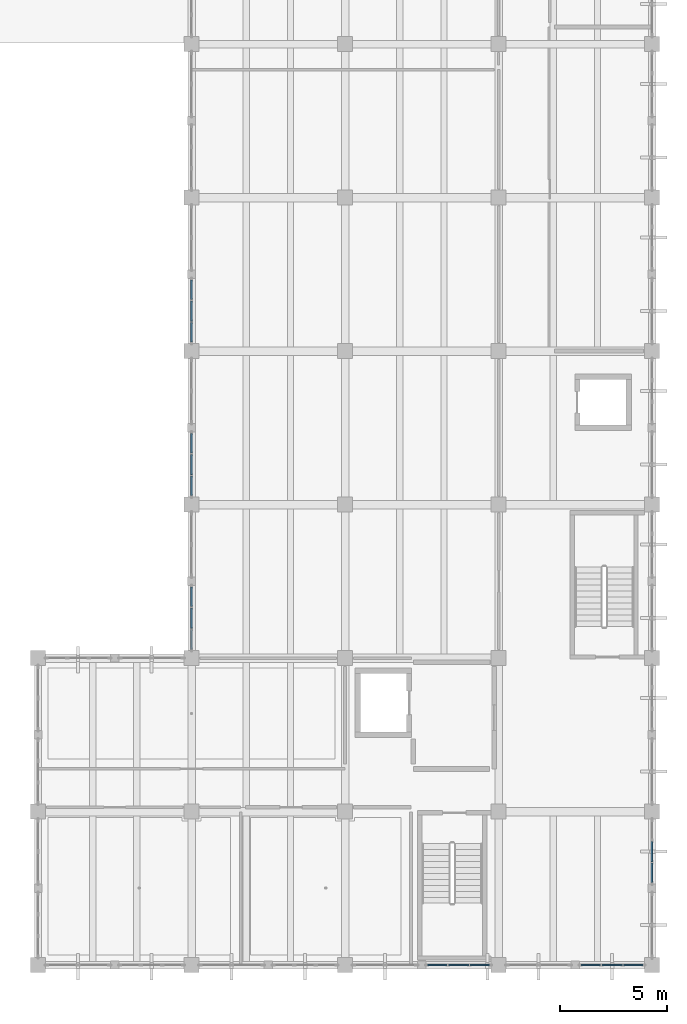
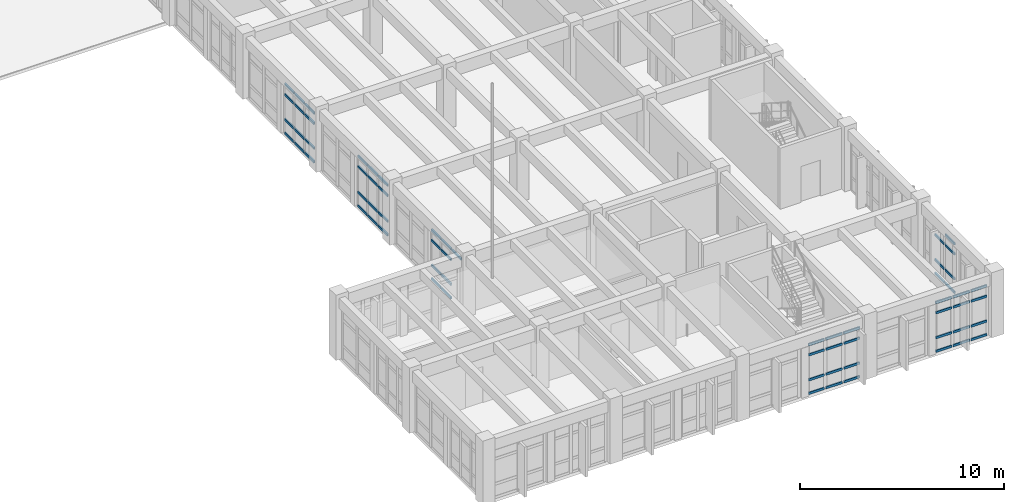
# One storey, part 19 of 54: 64 members, 6 elements without a shape of their own.
"""IFC4 building model written with IfcOpenShell, lengths in metres."""

from ifc_helpers import new_model, si_unit, direction, frame, origin, origin_2d, place, context, subcontext, project, spatial, rectangle, extrude, material, layer, layer_set, material_profile, profile_set, type_object, element, aggregate, save


model = new_model("IFC4")

# Units and contexts
model_context = context("Model", 3, precision=1e-05, world=origin(), true_north=direction((0.0, 1.0)))
body_context = subcontext(model_context, "Body", "Model", "MODEL_VIEW")
ifc_project = project(units=[si_unit("LENGTHUNIT", "METRE"), si_unit("AREAUNIT", "SQUARE_METRE"), si_unit("VOLUMEUNIT", "CUBIC_METRE"), si_unit("PLANEANGLEUNIT", "RADIAN"), si_unit("MASSUNIT", "GRAM", prefix="KILO")], contexts=[model_context])

# Site, building, storey
site_placement = place(None, origin())
site = spatial("IfcSite", under=ifc_project, at=site_placement, CompositionType="ELEMENT")
building_placement = place(site_placement, origin())
building = spatial("IfcBuilding", under=site, at=building_placement, Name="Koriwan Promenade Central Fire Station", CompositionType="ELEMENT")
storey_placement = place(building_placement, frame((0.0, 0.0, 9.60009765625)))
storey = spatial("IfcBuildingStorey", under=building, at=storey_placement, Name="L02", CompositionType="ELEMENT", Elevation=9.60009765625)

# Curtain wall, members
ifc_material_1 = material(Name="Aluminium EN AW-6063-T6 and low-E glazing", Category="aluminium")
ifc_layer_1 = layer(ifc_material_1, 0.159912109375, Name="Aluminium EN AW-6063-T6 and low-E glazing")
ifc_layer_set_1 = layer_set([ifc_layer_1], Name="Aluminium EN AW-6063-T6 and low-E glazing")
curtain_wall_type_1 = type_object("IfcCurtainWallType", Name="CurtainWall_73_305x299", PredefinedType="USERDEFINED", material=ifc_layer_set_1)
curtain_wall_1_placement = place(storey_placement, origin())
curtain_wall_1 = element("IfcCurtainWall", 1, at=curtain_wall_1_placement, inside=storey, type_object=curtain_wall_type_1, Name="V5 L02 unitised curtain wall 209", ObjectType="UNITISED CURTAIN WALL", PredefinedType="USERDEFINED")
ifc_material_2 = material(Name="Aluminium EN AW-6063-T6", Category="aluminium")
ifc_material_profile = material_profile(ifc_material_2, rectangle(XDim=0.074951171875, YDim=0.139892578125, at=origin_2d()), Name="ALU-TRN-75x140")
ifc_profile_set = profile_set([ifc_material_profile], Name="Aluminium EN AW-6063-T6")
member_type = type_object("IfcMemberType", Name="CWTransom_ALU-TRN-75x140", PredefinedType="USERDEFINED", material=ifc_profile_set)
member_1_placement = place(storey_placement, frame((172.375, 0.0, 0.037353515625), z_axis=(-1.0, 0.0, 0.0), x_axis=(0.0, -1.0, 0.0)))
member_1 = element("IfcMember", 2, at=member_1_placement, type_object=member_type, Name="CW-73 transom 1.1", ObjectType="TRANSOM", PredefinedType="USERDEFINED", context=body_context, shape_type="SweptSolid", body=[
    extrude(rectangle(XDim=0.074951171875, YDim=0.139892578125, at=origin_2d()), origin(), (0.0, 0.0, 1.0), 0.904052734375),
])
member_2_placement = place(storey_placement, frame((172.375, 0.0, 0.849853515625), z_axis=(-1.0, 0.0, 0.0), x_axis=(0.0, -1.0, 0.0)))
member_2 = element("IfcMember", 3, at=member_2_placement, type_object=member_type, Name="CW-73 transom 1.2", ObjectType="TRANSOM", PredefinedType="USERDEFINED", context=body_context, shape_type="SweptSolid", body=[
    extrude(rectangle(XDim=0.074951171875, YDim=0.139892578125, at=origin_2d()), origin(), (0.0, 0.0, 1.0), 0.904052734375),
])
member_3_placement = place(storey_placement, frame((172.375, 0.0, 2.33984375), z_axis=(-1.0, 0.0, 0.0), x_axis=(0.0, -1.0, 0.0)))
member_3 = element("IfcMember", 4, at=member_3_placement, type_object=member_type, Name="CW-73 transom 1.3", ObjectType="TRANSOM", PredefinedType="USERDEFINED", context=body_context, shape_type="SweptSolid", body=[
    extrude(rectangle(XDim=0.074951171875, YDim=0.139892578125, at=origin_2d()), origin(), (0.0, 0.0, 1.0), 0.904052734375),
])
member_4_placement = place(storey_placement, frame((172.375, 0.0, 2.952392578125), z_axis=(-1.0, 0.0, 0.0), x_axis=(0.0, -1.0, 0.0)))
member_4 = element("IfcMember", 5, at=member_4_placement, type_object=member_type, Name="CW-73 transom 1.4", ObjectType="TRANSOM", PredefinedType="USERDEFINED", context=body_context, shape_type="SweptSolid", body=[
    extrude(rectangle(XDim=0.074951171875, YDim=0.139892578125, at=origin_2d()), origin(), (0.0, 0.0, 1.0), 0.904052734375),
])
member_5_placement = place(storey_placement, frame((171.395751953125, 0.0, 0.037353515625), z_axis=(-1.0, 0.0, 0.0), x_axis=(0.0, -1.0, 0.0)))
member_5 = element("IfcMember", 6, at=member_5_placement, type_object=member_type, Name="CW-73 transom 2.1", ObjectType="TRANSOM", PredefinedType="USERDEFINED", context=body_context, shape_type="SweptSolid", body=[
    extrude(rectangle(XDim=0.074951171875, YDim=0.139892578125, at=origin_2d()), origin(), (0.0, 0.0, 1.0), 0.941650390625),
])
member_6_placement = place(storey_placement, frame((171.395751953125, 0.0, 0.849853515625), z_axis=(-1.0, 0.0, 0.0), x_axis=(0.0, -1.0, 0.0)))
member_6 = element("IfcMember", 7, at=member_6_placement, type_object=member_type, Name="CW-73 transom 2.2", ObjectType="TRANSOM", PredefinedType="USERDEFINED", context=body_context, shape_type="SweptSolid", body=[
    extrude(rectangle(XDim=0.074951171875, YDim=0.139892578125, at=origin_2d()), origin(), (0.0, 0.0, 1.0), 0.941650390625),
])
member_7_placement = place(storey_placement, frame((171.395751953125, 0.0, 2.33984375), z_axis=(-1.0, 0.0, 0.0), x_axis=(0.0, -1.0, 0.0)))
member_7 = element("IfcMember", 8, at=member_7_placement, type_object=member_type, Name="CW-73 transom 2.3", ObjectType="TRANSOM", PredefinedType="USERDEFINED", context=body_context, shape_type="SweptSolid", body=[
    extrude(rectangle(XDim=0.074951171875, YDim=0.139892578125, at=origin_2d()), origin(), (0.0, 0.0, 1.0), 0.941650390625),
])
member_8_placement = place(storey_placement, frame((171.395751953125, 0.0, 2.952392578125), z_axis=(-1.0, 0.0, 0.0), x_axis=(0.0, -1.0, 0.0)))
member_8 = element("IfcMember", 9, at=member_8_placement, type_object=member_type, Name="CW-73 transom 2.4", ObjectType="TRANSOM", PredefinedType="USERDEFINED", context=body_context, shape_type="SweptSolid", body=[
    extrude(rectangle(XDim=0.074951171875, YDim=0.139892578125, at=origin_2d()), origin(), (0.0, 0.0, 1.0), 0.941650390625),
])
member_9_placement = place(storey_placement, frame((170.379150390625, 0.0, 0.037353515625), z_axis=(-1.0, 0.0, 0.0), x_axis=(0.0, -1.0, 0.0)))
member_9 = element("IfcMember", 10, at=member_9_placement, type_object=member_type, Name="CW-73 transom 3.1", ObjectType="TRANSOM", PredefinedType="USERDEFINED", context=body_context, shape_type="SweptSolid", body=[
    extrude(rectangle(XDim=0.074951171875, YDim=0.139892578125, at=origin_2d()), origin(), (0.0, 0.0, 1.0), 0.904052734375),
])
member_10_placement = place(storey_placement, frame((170.379150390625, 0.0, 0.849853515625), z_axis=(-1.0, 0.0, 0.0), x_axis=(0.0, -1.0, 0.0)))
member_10 = element("IfcMember", 11, at=member_10_placement, type_object=member_type, Name="CW-73 transom 3.2", ObjectType="TRANSOM", PredefinedType="USERDEFINED", context=body_context, shape_type="SweptSolid", body=[
    extrude(rectangle(XDim=0.074951171875, YDim=0.139892578125, at=origin_2d()), origin(), (0.0, 0.0, 1.0), 0.904052734375),
])
member_11_placement = place(storey_placement, frame((170.379150390625, 0.0, 2.33984375), z_axis=(-1.0, 0.0, 0.0), x_axis=(0.0, -1.0, 0.0)))
member_11 = element("IfcMember", 12, at=member_11_placement, type_object=member_type, Name="CW-73 transom 3.3", ObjectType="TRANSOM", PredefinedType="USERDEFINED", context=body_context, shape_type="SweptSolid", body=[
    extrude(rectangle(XDim=0.074951171875, YDim=0.139892578125, at=origin_2d()), origin(), (0.0, 0.0, 1.0), 0.904052734375),
])
member_12_placement = place(storey_placement, frame((170.379150390625, 0.0, 2.952392578125), z_axis=(-1.0, 0.0, 0.0), x_axis=(0.0, -1.0, 0.0)))
member_12 = element("IfcMember", 13, at=member_12_placement, type_object=member_type, Name="CW-73 transom 3.4", ObjectType="TRANSOM", PredefinedType="USERDEFINED", context=body_context, shape_type="SweptSolid", body=[
    extrude(rectangle(XDim=0.074951171875, YDim=0.139892578125, at=origin_2d()), origin(), (0.0, 0.0, 1.0), 0.904052734375),
])
aggregate(curtain_wall_1, [member_1, member_2, member_3, member_4, member_5, member_6, member_7, member_8, member_9, member_10, member_11, member_12])

curtain_wall_2_placement = place(storey_placement, origin())
curtain_wall_2 = element("IfcCurtainWall", 14, at=curtain_wall_2_placement, inside=storey, type_object=curtain_wall_type_1, Name="V5 L02 unitised curtain wall 211", ObjectType="UNITISED CURTAIN WALL", PredefinedType="USERDEFINED")
member_13_placement = place(storey_placement, frame((165.175048828125, 0.0, 0.037353515625), z_axis=(-1.0, 0.0, 0.0), x_axis=(0.0, -1.0, 0.0)))
member_13 = element("IfcMember", 15, at=member_13_placement, type_object=member_type, Name="CW-73 transom 1.1", ObjectType="TRANSOM", PredefinedType="USERDEFINED", context=body_context, shape_type="SweptSolid", body=[
    extrude(rectangle(XDim=0.074951171875, YDim=0.139892578125, at=origin_2d()), origin(), (0.0, 0.0, 1.0), 0.904296875),
])
member_14_placement = place(storey_placement, frame((165.175048828125, 0.0, 0.849853515625), z_axis=(-1.0, 0.0, 0.0), x_axis=(0.0, -1.0, 0.0)))
member_14 = element("IfcMember", 16, at=member_14_placement, type_object=member_type, Name="CW-73 transom 1.2", ObjectType="TRANSOM", PredefinedType="USERDEFINED", context=body_context, shape_type="SweptSolid", body=[
    extrude(rectangle(XDim=0.074951171875, YDim=0.139892578125, at=origin_2d()), origin(), (0.0, 0.0, 1.0), 0.904296875),
])
member_15_placement = place(storey_placement, frame((165.175048828125, 0.0, 2.33984375), z_axis=(-1.0, 0.0, 0.0), x_axis=(0.0, -1.0, 0.0)))
member_15 = element("IfcMember", 17, at=member_15_placement, type_object=member_type, Name="CW-73 transom 1.3", ObjectType="TRANSOM", PredefinedType="USERDEFINED", context=body_context, shape_type="SweptSolid", body=[
    extrude(rectangle(XDim=0.074951171875, YDim=0.139892578125, at=origin_2d()), origin(), (0.0, 0.0, 1.0), 0.904296875),
])
member_16_placement = place(storey_placement, frame((165.175048828125, 0.0, 2.952392578125), z_axis=(-1.0, 0.0, 0.0), x_axis=(0.0, -1.0, 0.0)))
member_16 = element("IfcMember", 18, at=member_16_placement, type_object=member_type, Name="CW-73 transom 1.4", ObjectType="TRANSOM", PredefinedType="USERDEFINED", context=body_context, shape_type="SweptSolid", body=[
    extrude(rectangle(XDim=0.074951171875, YDim=0.139892578125, at=origin_2d()), origin(), (0.0, 0.0, 1.0), 0.904296875),
])
member_17_placement = place(storey_placement, frame((164.19580078125, 0.0, 0.037353515625), z_axis=(-1.0, 0.0, 0.0), x_axis=(0.0, -1.0, 0.0)))
member_17 = element("IfcMember", 19, at=member_17_placement, type_object=member_type, Name="CW-73 transom 2.1", ObjectType="TRANSOM", PredefinedType="USERDEFINED", context=body_context, shape_type="SweptSolid", body=[
    extrude(rectangle(XDim=0.074951171875, YDim=0.139892578125, at=origin_2d()), origin(), (0.0, 0.0, 1.0), 0.941650390625),
])
member_18_placement = place(storey_placement, frame((164.19580078125, 0.0, 0.849853515625), z_axis=(-1.0, 0.0, 0.0), x_axis=(0.0, -1.0, 0.0)))
member_18 = element("IfcMember", 20, at=member_18_placement, type_object=member_type, Name="CW-73 transom 2.2", ObjectType="TRANSOM", PredefinedType="USERDEFINED", context=body_context, shape_type="SweptSolid", body=[
    extrude(rectangle(XDim=0.074951171875, YDim=0.139892578125, at=origin_2d()), origin(), (0.0, 0.0, 1.0), 0.941650390625),
])
member_19_placement = place(storey_placement, frame((164.19580078125, 0.0, 2.33984375), z_axis=(-1.0, 0.0, 0.0), x_axis=(0.0, -1.0, 0.0)))
member_19 = element("IfcMember", 21, at=member_19_placement, type_object=member_type, Name="CW-73 transom 2.3", ObjectType="TRANSOM", PredefinedType="USERDEFINED", context=body_context, shape_type="SweptSolid", body=[
    extrude(rectangle(XDim=0.074951171875, YDim=0.139892578125, at=origin_2d()), origin(), (0.0, 0.0, 1.0), 0.941650390625),
])
member_20_placement = place(storey_placement, frame((164.19580078125, 0.0, 2.952392578125), z_axis=(-1.0, 0.0, 0.0), x_axis=(0.0, -1.0, 0.0)))
member_20 = element("IfcMember", 22, at=member_20_placement, type_object=member_type, Name="CW-73 transom 2.4", ObjectType="TRANSOM", PredefinedType="USERDEFINED", context=body_context, shape_type="SweptSolid", body=[
    extrude(rectangle(XDim=0.074951171875, YDim=0.139892578125, at=origin_2d()), origin(), (0.0, 0.0, 1.0), 0.941650390625),
])
member_21_placement = place(storey_placement, frame((163.17919921875, 0.0, 0.037353515625), z_axis=(-1.0, 0.0, 0.0), x_axis=(0.0, -1.0, 0.0)))
member_21 = element("IfcMember", 23, at=member_21_placement, type_object=member_type, Name="CW-73 transom 3.1", ObjectType="TRANSOM", PredefinedType="USERDEFINED", context=body_context, shape_type="SweptSolid", body=[
    extrude(rectangle(XDim=0.074951171875, YDim=0.139892578125, at=origin_2d()), origin(), (0.0, 0.0, 1.0), 0.904296875),
])
member_22_placement = place(storey_placement, frame((163.17919921875, 0.0, 0.849853515625), z_axis=(-1.0, 0.0, 0.0), x_axis=(0.0, -1.0, 0.0)))
member_22 = element("IfcMember", 24, at=member_22_placement, type_object=member_type, Name="CW-73 transom 3.2", ObjectType="TRANSOM", PredefinedType="USERDEFINED", context=body_context, shape_type="SweptSolid", body=[
    extrude(rectangle(XDim=0.074951171875, YDim=0.139892578125, at=origin_2d()), origin(), (0.0, 0.0, 1.0), 0.904296875),
])
member_23_placement = place(storey_placement, frame((163.17919921875, 0.0, 2.33984375), z_axis=(-1.0, 0.0, 0.0), x_axis=(0.0, -1.0, 0.0)))
member_23 = element("IfcMember", 25, at=member_23_placement, type_object=member_type, Name="CW-73 transom 3.3", ObjectType="TRANSOM", PredefinedType="USERDEFINED", context=body_context, shape_type="SweptSolid", body=[
    extrude(rectangle(XDim=0.074951171875, YDim=0.139892578125, at=origin_2d()), origin(), (0.0, 0.0, 1.0), 0.904296875),
])
member_24_placement = place(storey_placement, frame((163.17919921875, 0.0, 2.952392578125), z_axis=(-1.0, 0.0, 0.0), x_axis=(0.0, -1.0, 0.0)))
member_24 = element("IfcMember", 26, at=member_24_placement, type_object=member_type, Name="CW-73 transom 3.4", ObjectType="TRANSOM", PredefinedType="USERDEFINED", context=body_context, shape_type="SweptSolid", body=[
    extrude(rectangle(XDim=0.074951171875, YDim=0.139892578125, at=origin_2d()), origin(), (0.0, 0.0, 1.0), 0.904296875),
])
aggregate(curtain_wall_2, [member_13, member_14, member_15, member_16, member_17, member_18, member_19, member_20, member_21, member_22, member_23, member_24])

curtain_wall_3_placement = place(storey_placement, origin())
curtain_wall_3 = element("IfcCurtainWall", 27, at=curtain_wall_3_placement, inside=storey, type_object=curtain_wall_type_1, Name="V5 L02 unitised curtain wall 223", ObjectType="UNITISED CURTAIN WALL", PredefinedType="USERDEFINED")
member_25_placement = place(storey_placement, frame((151.199951171875, 14.824951171875, 2.952392578125), z_axis=(0.0, 1.0, 0.0), x_axis=(-1.0, 0.0, 0.0)))
member_25 = element("IfcMember", 28, at=member_25_placement, type_object=member_type, Name="CW-73 transom 1.4", ObjectType="TRANSOM", PredefinedType="USERDEFINED", context=body_context, shape_type="SweptSolid", body=[
    extrude(rectangle(XDim=0.074951171875, YDim=0.139892578125, at=origin_2d()), origin(), (0.0, 0.0, 1.0), 0.904296875),
])
member_26_placement = place(storey_placement, frame((151.199951171875, 15.80419921875, 0.037353515625), z_axis=(0.0, 1.0, 0.0), x_axis=(-1.0, 0.0, 0.0)))
member_26 = element("IfcMember", 29, at=member_26_placement, type_object=member_type, Name="CW-73 transom 2.1", ObjectType="TRANSOM", PredefinedType="USERDEFINED", context=body_context, shape_type="SweptSolid", body=[
    extrude(rectangle(XDim=0.074951171875, YDim=0.139892578125, at=origin_2d()), origin(), (0.0, 0.0, 1.0), 0.941650390625),
])
member_27_placement = place(storey_placement, frame((151.199951171875, 15.80419921875, 0.849853515625), z_axis=(0.0, 1.0, 0.0), x_axis=(-1.0, 0.0, 0.0)))
member_27 = element("IfcMember", 30, at=member_27_placement, type_object=member_type, Name="CW-73 transom 2.2", ObjectType="TRANSOM", PredefinedType="USERDEFINED", context=body_context, shape_type="SweptSolid", body=[
    extrude(rectangle(XDim=0.074951171875, YDim=0.139892578125, at=origin_2d()), origin(), (0.0, 0.0, 1.0), 0.941650390625),
])
member_28_placement = place(storey_placement, frame((151.199951171875, 15.80419921875, 2.33984375), z_axis=(0.0, 1.0, 0.0), x_axis=(-1.0, 0.0, 0.0)))
member_28 = element("IfcMember", 31, at=member_28_placement, type_object=member_type, Name="CW-73 transom 2.3", ObjectType="TRANSOM", PredefinedType="USERDEFINED", context=body_context, shape_type="SweptSolid", body=[
    extrude(rectangle(XDim=0.074951171875, YDim=0.139892578125, at=origin_2d()), origin(), (0.0, 0.0, 1.0), 0.941650390625),
])
member_29_placement = place(storey_placement, frame((151.199951171875, 15.80419921875, 2.952392578125), z_axis=(0.0, 1.0, 0.0), x_axis=(-1.0, 0.0, 0.0)))
member_29 = element("IfcMember", 32, at=member_29_placement, type_object=member_type, Name="CW-73 transom 2.4", ObjectType="TRANSOM", PredefinedType="USERDEFINED", context=body_context, shape_type="SweptSolid", body=[
    extrude(rectangle(XDim=0.074951171875, YDim=0.139892578125, at=origin_2d()), origin(), (0.0, 0.0, 1.0), 0.941650390625),
])
member_30_placement = place(storey_placement, frame((151.199951171875, 16.82080078125, 0.037353515625), z_axis=(0.0, 1.0, 0.0), x_axis=(-1.0, 0.0, 0.0)))
member_30 = element("IfcMember", 33, at=member_30_placement, type_object=member_type, Name="CW-73 transom 3.1", ObjectType="TRANSOM", PredefinedType="USERDEFINED", context=body_context, shape_type="SweptSolid", body=[
    extrude(rectangle(XDim=0.074951171875, YDim=0.139892578125, at=origin_2d()), origin(), (0.0, 0.0, 1.0), 0.904296875),
])
member_31_placement = place(storey_placement, frame((151.199951171875, 16.82080078125, 0.849853515625), z_axis=(0.0, 1.0, 0.0), x_axis=(-1.0, 0.0, 0.0)))
member_31 = element("IfcMember", 34, at=member_31_placement, type_object=member_type, Name="CW-73 transom 3.2", ObjectType="TRANSOM", PredefinedType="USERDEFINED", context=body_context, shape_type="SweptSolid", body=[
    extrude(rectangle(XDim=0.074951171875, YDim=0.139892578125, at=origin_2d()), origin(), (0.0, 0.0, 1.0), 0.904296875),
])
member_32_placement = place(storey_placement, frame((151.199951171875, 16.82080078125, 2.33984375), z_axis=(0.0, 1.0, 0.0), x_axis=(-1.0, 0.0, 0.0)))
member_32 = element("IfcMember", 35, at=member_32_placement, type_object=member_type, Name="CW-73 transom 3.3", ObjectType="TRANSOM", PredefinedType="USERDEFINED", context=body_context, shape_type="SweptSolid", body=[
    extrude(rectangle(XDim=0.074951171875, YDim=0.139892578125, at=origin_2d()), origin(), (0.0, 0.0, 1.0), 0.904296875),
])
member_33_placement = place(storey_placement, frame((151.199951171875, 16.82080078125, 2.952392578125), z_axis=(0.0, 1.0, 0.0), x_axis=(-1.0, 0.0, 0.0)))
member_33 = element("IfcMember", 36, at=member_33_placement, type_object=member_type, Name="CW-73 transom 3.4", ObjectType="TRANSOM", PredefinedType="USERDEFINED", context=body_context, shape_type="SweptSolid", body=[
    extrude(rectangle(XDim=0.074951171875, YDim=0.139892578125, at=origin_2d()), origin(), (0.0, 0.0, 1.0), 0.904296875),
])
aggregate(curtain_wall_3, [member_25, member_26, member_27, member_28, member_29, member_30, member_31, member_32, member_33])

ifc_layer_2 = layer(ifc_material_1, 0.159912109375, Name="Aluminium EN AW-6063-T6 and low-E glazing")
ifc_layer_set_2 = layer_set([ifc_layer_2], Name="Aluminium EN AW-6063-T6 and low-E glazing")
curtain_wall_type_2 = type_object("IfcCurtainWallType", Name="CurtainWall_80_305x304", PredefinedType="USERDEFINED", material=ifc_layer_set_2)
curtain_wall_4_placement = place(storey_placement, origin())
curtain_wall_4 = element("IfcCurtainWall", 37, at=curtain_wall_4_placement, inside=storey, type_object=curtain_wall_type_2, Name="V5 L02 unitised curtain wall 225", ObjectType="UNITISED CURTAIN WALL", PredefinedType="USERDEFINED")
member_34_placement = place(storey_placement, frame((151.199951171875, 22.02490234375, 0.037353515625), z_axis=(0.0, 1.0, 0.0), x_axis=(-1.0, 0.0, 0.0)))
member_34 = element("IfcMember", 38, at=member_34_placement, type_object=member_type, Name="CW-80 transom 1.1", ObjectType="TRANSOM", PredefinedType="USERDEFINED", context=body_context, shape_type="SweptSolid", body=[
    extrude(rectangle(XDim=0.074951171875, YDim=0.139892578125, at=origin_2d()), origin(), (0.0, 0.0, 1.0), 0.904296875),
])
member_35_placement = place(storey_placement, frame((151.199951171875, 22.02490234375, 0.849853515625), z_axis=(0.0, 1.0, 0.0), x_axis=(-1.0, 0.0, 0.0)))
member_35 = element("IfcMember", 39, at=member_35_placement, type_object=member_type, Name="CW-80 transom 1.2", ObjectType="TRANSOM", PredefinedType="USERDEFINED", context=body_context, shape_type="SweptSolid", body=[
    extrude(rectangle(XDim=0.074951171875, YDim=0.139892578125, at=origin_2d()), origin(), (0.0, 0.0, 1.0), 0.904296875),
])
member_36_placement = place(storey_placement, frame((151.199951171875, 22.02490234375, 2.389892578125), z_axis=(0.0, 1.0, 0.0), x_axis=(-1.0, 0.0, 0.0)))
member_36 = element("IfcMember", 40, at=member_36_placement, type_object=member_type, Name="CW-80 transom 1.3", ObjectType="TRANSOM", PredefinedType="USERDEFINED", context=body_context, shape_type="SweptSolid", body=[
    extrude(rectangle(XDim=0.074951171875, YDim=0.139892578125, at=origin_2d()), origin(), (0.0, 0.0, 1.0), 0.904296875),
])
member_37_placement = place(storey_placement, frame((151.199951171875, 22.02490234375, 3.00244140625), z_axis=(0.0, 1.0, 0.0), x_axis=(-1.0, 0.0, 0.0)))
member_37 = element("IfcMember", 41, at=member_37_placement, type_object=member_type, Name="CW-80 transom 1.4", ObjectType="TRANSOM", PredefinedType="USERDEFINED", context=body_context, shape_type="SweptSolid", body=[
    extrude(rectangle(XDim=0.074951171875, YDim=0.139892578125, at=origin_2d()), origin(), (0.0, 0.0, 1.0), 0.904296875),
])
member_38_placement = place(storey_placement, frame((151.199951171875, 23.004150390625, 0.037353515625), z_axis=(0.0, 1.0, 0.0), x_axis=(-1.0, 0.0, 0.0)))
member_38 = element("IfcMember", 42, at=member_38_placement, type_object=member_type, Name="CW-80 transom 2.1", ObjectType="TRANSOM", PredefinedType="USERDEFINED", context=body_context, shape_type="SweptSolid", body=[
    extrude(rectangle(XDim=0.074951171875, YDim=0.139892578125, at=origin_2d()), origin(), (0.0, 0.0, 1.0), 0.941650390625),
])
member_39_placement = place(storey_placement, frame((151.199951171875, 23.004150390625, 0.849853515625), z_axis=(0.0, 1.0, 0.0), x_axis=(-1.0, 0.0, 0.0)))
member_39 = element("IfcMember", 43, at=member_39_placement, type_object=member_type, Name="CW-80 transom 2.2", ObjectType="TRANSOM", PredefinedType="USERDEFINED", context=body_context, shape_type="SweptSolid", body=[
    extrude(rectangle(XDim=0.074951171875, YDim=0.139892578125, at=origin_2d()), origin(), (0.0, 0.0, 1.0), 0.941650390625),
])
member_40_placement = place(storey_placement, frame((151.199951171875, 23.004150390625, 2.389892578125), z_axis=(0.0, 1.0, 0.0), x_axis=(-1.0, 0.0, 0.0)))
member_40 = element("IfcMember", 44, at=member_40_placement, type_object=member_type, Name="CW-80 transom 2.3", ObjectType="TRANSOM", PredefinedType="USERDEFINED", context=body_context, shape_type="SweptSolid", body=[
    extrude(rectangle(XDim=0.074951171875, YDim=0.139892578125, at=origin_2d()), origin(), (0.0, 0.0, 1.0), 0.941650390625),
])
member_41_placement = place(storey_placement, frame((151.199951171875, 23.004150390625, 3.00244140625), z_axis=(0.0, 1.0, 0.0), x_axis=(-1.0, 0.0, 0.0)))
member_41 = element("IfcMember", 45, at=member_41_placement, type_object=member_type, Name="CW-80 transom 2.4", ObjectType="TRANSOM", PredefinedType="USERDEFINED", context=body_context, shape_type="SweptSolid", body=[
    extrude(rectangle(XDim=0.074951171875, YDim=0.139892578125, at=origin_2d()), origin(), (0.0, 0.0, 1.0), 0.941650390625),
])
member_42_placement = place(storey_placement, frame((151.199951171875, 24.020751953125, 0.037353515625), z_axis=(0.0, 1.0, 0.0), x_axis=(-1.0, 0.0, 0.0)))
member_42 = element("IfcMember", 46, at=member_42_placement, type_object=member_type, Name="CW-80 transom 3.1", ObjectType="TRANSOM", PredefinedType="USERDEFINED", context=body_context, shape_type="SweptSolid", body=[
    extrude(rectangle(XDim=0.074951171875, YDim=0.139892578125, at=origin_2d()), origin(), (0.0, 0.0, 1.0), 0.904296875),
])
member_43_placement = place(storey_placement, frame((151.199951171875, 24.020751953125, 0.849853515625), z_axis=(0.0, 1.0, 0.0), x_axis=(-1.0, 0.0, 0.0)))
member_43 = element("IfcMember", 47, at=member_43_placement, type_object=member_type, Name="CW-80 transom 3.2", ObjectType="TRANSOM", PredefinedType="USERDEFINED", context=body_context, shape_type="SweptSolid", body=[
    extrude(rectangle(XDim=0.074951171875, YDim=0.139892578125, at=origin_2d()), origin(), (0.0, 0.0, 1.0), 0.904296875),
])
member_44_placement = place(storey_placement, frame((151.199951171875, 24.020751953125, 2.389892578125), z_axis=(0.0, 1.0, 0.0), x_axis=(-1.0, 0.0, 0.0)))
member_44 = element("IfcMember", 48, at=member_44_placement, type_object=member_type, Name="CW-80 transom 3.3", ObjectType="TRANSOM", PredefinedType="USERDEFINED", context=body_context, shape_type="SweptSolid", body=[
    extrude(rectangle(XDim=0.074951171875, YDim=0.139892578125, at=origin_2d()), origin(), (0.0, 0.0, 1.0), 0.904296875),
])
member_45_placement = place(storey_placement, frame((151.199951171875, 24.020751953125, 3.00244140625), z_axis=(0.0, 1.0, 0.0), x_axis=(-1.0, 0.0, 0.0)))
member_45 = element("IfcMember", 49, at=member_45_placement, type_object=member_type, Name="CW-80 transom 3.4", ObjectType="TRANSOM", PredefinedType="USERDEFINED", context=body_context, shape_type="SweptSolid", body=[
    extrude(rectangle(XDim=0.074951171875, YDim=0.139892578125, at=origin_2d()), origin(), (0.0, 0.0, 1.0), 0.904296875),
])
aggregate(curtain_wall_4, [member_34, member_35, member_36, member_37, member_38, member_39, member_40, member_41, member_42, member_43, member_44, member_45])

curtain_wall_5_placement = place(storey_placement, origin())
curtain_wall_5 = element("IfcCurtainWall", 50, at=curtain_wall_5_placement, inside=storey, type_object=curtain_wall_type_1, Name="V5 L02 unitised curtain wall 227", ObjectType="UNITISED CURTAIN WALL", PredefinedType="USERDEFINED")
member_46_placement = place(storey_placement, frame((151.199951171875, 29.22509765625, 0.037353515625), z_axis=(0.0, 1.0, 0.0), x_axis=(-1.0, 0.0, 0.0)))
member_46 = element("IfcMember", 51, at=member_46_placement, type_object=member_type, Name="CW-73 transom 1.1", ObjectType="TRANSOM", PredefinedType="USERDEFINED", context=body_context, shape_type="SweptSolid", body=[
    extrude(rectangle(XDim=0.074951171875, YDim=0.139892578125, at=origin_2d()), origin(), (0.0, 0.0, 1.0), 0.904052734375),
])
member_47_placement = place(storey_placement, frame((151.199951171875, 29.22509765625, 0.849853515625), z_axis=(0.0, 1.0, 0.0), x_axis=(-1.0, 0.0, 0.0)))
member_47 = element("IfcMember", 52, at=member_47_placement, type_object=member_type, Name="CW-73 transom 1.2", ObjectType="TRANSOM", PredefinedType="USERDEFINED", context=body_context, shape_type="SweptSolid", body=[
    extrude(rectangle(XDim=0.074951171875, YDim=0.139892578125, at=origin_2d()), origin(), (0.0, 0.0, 1.0), 0.904052734375),
])
member_48_placement = place(storey_placement, frame((151.199951171875, 29.22509765625, 2.33984375), z_axis=(0.0, 1.0, 0.0), x_axis=(-1.0, 0.0, 0.0)))
member_48 = element("IfcMember", 53, at=member_48_placement, type_object=member_type, Name="CW-73 transom 1.3", ObjectType="TRANSOM", PredefinedType="USERDEFINED", context=body_context, shape_type="SweptSolid", body=[
    extrude(rectangle(XDim=0.074951171875, YDim=0.139892578125, at=origin_2d()), origin(), (0.0, 0.0, 1.0), 0.904052734375),
])
member_49_placement = place(storey_placement, frame((151.199951171875, 29.22509765625, 2.952392578125), z_axis=(0.0, 1.0, 0.0), x_axis=(-1.0, 0.0, 0.0)))
member_49 = element("IfcMember", 54, at=member_49_placement, type_object=member_type, Name="CW-73 transom 1.4", ObjectType="TRANSOM", PredefinedType="USERDEFINED", context=body_context, shape_type="SweptSolid", body=[
    extrude(rectangle(XDim=0.074951171875, YDim=0.139892578125, at=origin_2d()), origin(), (0.0, 0.0, 1.0), 0.904052734375),
])
member_50_placement = place(storey_placement, frame((151.199951171875, 30.2041015625, 0.037353515625), z_axis=(0.0, 1.0, 0.0), x_axis=(-1.0, 0.0, 0.0)))
member_50 = element("IfcMember", 55, at=member_50_placement, type_object=member_type, Name="CW-73 transom 2.1", ObjectType="TRANSOM", PredefinedType="USERDEFINED", context=body_context, shape_type="SweptSolid", body=[
    extrude(rectangle(XDim=0.074951171875, YDim=0.139892578125, at=origin_2d()), origin(), (0.0, 0.0, 1.0), 0.941650390625),
])
member_51_placement = place(storey_placement, frame((151.199951171875, 30.2041015625, 0.849853515625), z_axis=(0.0, 1.0, 0.0), x_axis=(-1.0, 0.0, 0.0)))
member_51 = element("IfcMember", 56, at=member_51_placement, type_object=member_type, Name="CW-73 transom 2.2", ObjectType="TRANSOM", PredefinedType="USERDEFINED", context=body_context, shape_type="SweptSolid", body=[
    extrude(rectangle(XDim=0.074951171875, YDim=0.139892578125, at=origin_2d()), origin(), (0.0, 0.0, 1.0), 0.941650390625),
])
member_52_placement = place(storey_placement, frame((151.199951171875, 30.2041015625, 2.33984375), z_axis=(0.0, 1.0, 0.0), x_axis=(-1.0, 0.0, 0.0)))
member_52 = element("IfcMember", 57, at=member_52_placement, type_object=member_type, Name="CW-73 transom 2.3", ObjectType="TRANSOM", PredefinedType="USERDEFINED", context=body_context, shape_type="SweptSolid", body=[
    extrude(rectangle(XDim=0.074951171875, YDim=0.139892578125, at=origin_2d()), origin(), (0.0, 0.0, 1.0), 0.941650390625),
])
member_53_placement = place(storey_placement, frame((151.199951171875, 30.2041015625, 2.952392578125), z_axis=(0.0, 1.0, 0.0), x_axis=(-1.0, 0.0, 0.0)))
member_53 = element("IfcMember", 58, at=member_53_placement, type_object=member_type, Name="CW-73 transom 2.4", ObjectType="TRANSOM", PredefinedType="USERDEFINED", context=body_context, shape_type="SweptSolid", body=[
    extrude(rectangle(XDim=0.074951171875, YDim=0.139892578125, at=origin_2d()), origin(), (0.0, 0.0, 1.0), 0.941650390625),
])
member_54_placement = place(storey_placement, frame((151.199951171875, 31.220947265625, 0.037353515625), z_axis=(0.0, 1.0, 0.0), x_axis=(-1.0, 0.0, 0.0)))
member_54 = element("IfcMember", 59, at=member_54_placement, type_object=member_type, Name="CW-73 transom 3.1", ObjectType="TRANSOM", PredefinedType="USERDEFINED", context=body_context, shape_type="SweptSolid", body=[
    extrude(rectangle(XDim=0.074951171875, YDim=0.139892578125, at=origin_2d()), origin(), (0.0, 0.0, 1.0), 0.904052734375),
])
member_55_placement = place(storey_placement, frame((151.199951171875, 31.220947265625, 0.849853515625), z_axis=(0.0, 1.0, 0.0), x_axis=(-1.0, 0.0, 0.0)))
member_55 = element("IfcMember", 60, at=member_55_placement, type_object=member_type, Name="CW-73 transom 3.2", ObjectType="TRANSOM", PredefinedType="USERDEFINED", context=body_context, shape_type="SweptSolid", body=[
    extrude(rectangle(XDim=0.074951171875, YDim=0.139892578125, at=origin_2d()), origin(), (0.0, 0.0, 1.0), 0.904052734375),
])
member_56_placement = place(storey_placement, frame((151.199951171875, 31.220947265625, 2.33984375), z_axis=(0.0, 1.0, 0.0), x_axis=(-1.0, 0.0, 0.0)))
member_56 = element("IfcMember", 61, at=member_56_placement, type_object=member_type, Name="CW-73 transom 3.3", ObjectType="TRANSOM", PredefinedType="USERDEFINED", context=body_context, shape_type="SweptSolid", body=[
    extrude(rectangle(XDim=0.074951171875, YDim=0.139892578125, at=origin_2d()), origin(), (0.0, 0.0, 1.0), 0.904052734375),
])
member_57_placement = place(storey_placement, frame((151.199951171875, 31.220947265625, 2.952392578125), z_axis=(0.0, 1.0, 0.0), x_axis=(-1.0, 0.0, 0.0)))
member_57 = element("IfcMember", 62, at=member_57_placement, type_object=member_type, Name="CW-73 transom 3.4", ObjectType="TRANSOM", PredefinedType="USERDEFINED", context=body_context, shape_type="SweptSolid", body=[
    extrude(rectangle(XDim=0.074951171875, YDim=0.139892578125, at=origin_2d()), origin(), (0.0, 0.0, 1.0), 0.904052734375),
])
aggregate(curtain_wall_5, [member_46, member_47, member_48, member_49, member_50, member_51, member_52, member_53, member_54, member_55, member_56, member_57])

curtain_wall_6_placement = place(storey_placement, origin())
curtain_wall_6 = element("IfcCurtainWall", 63, at=curtain_wall_6_placement, inside=storey, type_object=curtain_wall_type_1, Name="V5 L02 unitised curtain wall 249", ObjectType="UNITISED CURTAIN WALL", PredefinedType="USERDEFINED")
member_58_placement = place(storey_placement, frame((172.800048828125, 5.7958984375, 0.037353515625), z_axis=(0.0, -1.0, 0.0), x_axis=(1.0, 0.0, 0.0)))
member_58 = element("IfcMember", 64, at=member_58_placement, type_object=member_type, Name="CW-73 transom 2.1", ObjectType="TRANSOM", PredefinedType="USERDEFINED", context=body_context, shape_type="SweptSolid", body=[
    extrude(rectangle(XDim=0.074951171875, YDim=0.139892578125, at=origin_2d()), origin(), (0.0, 0.0, 1.0), 0.941650390625),
])
member_59_placement = place(storey_placement, frame((172.800048828125, 5.7958984375, 0.849853515625), z_axis=(0.0, -1.0, 0.0), x_axis=(1.0, 0.0, 0.0)))
member_59 = element("IfcMember", 65, at=member_59_placement, type_object=member_type, Name="CW-73 transom 2.2", ObjectType="TRANSOM", PredefinedType="USERDEFINED", context=body_context, shape_type="SweptSolid", body=[
    extrude(rectangle(XDim=0.074951171875, YDim=0.139892578125, at=origin_2d()), origin(), (0.0, 0.0, 1.0), 0.941650390625),
])
member_60_placement = place(storey_placement, frame((172.800048828125, 5.7958984375, 2.33984375), z_axis=(0.0, -1.0, 0.0), x_axis=(1.0, 0.0, 0.0)))
member_60 = element("IfcMember", 66, at=member_60_placement, type_object=member_type, Name="CW-73 transom 2.3", ObjectType="TRANSOM", PredefinedType="USERDEFINED", context=body_context, shape_type="SweptSolid", body=[
    extrude(rectangle(XDim=0.074951171875, YDim=0.139892578125, at=origin_2d()), origin(), (0.0, 0.0, 1.0), 0.941650390625),
])
member_61_placement = place(storey_placement, frame((172.800048828125, 4.779052734375, 0.037353515625), z_axis=(0.0, -1.0, 0.0), x_axis=(1.0, 0.0, 0.0)))
member_61 = element("IfcMember", 67, at=member_61_placement, type_object=member_type, Name="CW-73 transom 3.1", ObjectType="TRANSOM", PredefinedType="USERDEFINED", context=body_context, shape_type="SweptSolid", body=[
    extrude(rectangle(XDim=0.074951171875, YDim=0.139892578125, at=origin_2d()), origin(), (0.0, 0.0, 1.0), 0.904052734375),
])
member_62_placement = place(storey_placement, frame((172.800048828125, 4.779052734375, 0.849853515625), z_axis=(0.0, -1.0, 0.0), x_axis=(1.0, 0.0, 0.0)))
member_62 = element("IfcMember", 68, at=member_62_placement, type_object=member_type, Name="CW-73 transom 3.2", ObjectType="TRANSOM", PredefinedType="USERDEFINED", context=body_context, shape_type="SweptSolid", body=[
    extrude(rectangle(XDim=0.074951171875, YDim=0.139892578125, at=origin_2d()), origin(), (0.0, 0.0, 1.0), 0.904052734375),
])
member_63_placement = place(storey_placement, frame((172.800048828125, 4.779052734375, 2.33984375), z_axis=(0.0, -1.0, 0.0), x_axis=(1.0, 0.0, 0.0)))
member_63 = element("IfcMember", 69, at=member_63_placement, type_object=member_type, Name="CW-73 transom 3.3", ObjectType="TRANSOM", PredefinedType="USERDEFINED", context=body_context, shape_type="SweptSolid", body=[
    extrude(rectangle(XDim=0.074951171875, YDim=0.139892578125, at=origin_2d()), origin(), (0.0, 0.0, 1.0), 0.904052734375),
])
member_64_placement = place(storey_placement, frame((172.800048828125, 4.779052734375, 2.952392578125), z_axis=(0.0, -1.0, 0.0), x_axis=(1.0, 0.0, 0.0)))
member_64 = element("IfcMember", 70, at=member_64_placement, type_object=member_type, Name="CW-73 transom 3.4", ObjectType="TRANSOM", PredefinedType="USERDEFINED", context=body_context, shape_type="SweptSolid", body=[
    extrude(rectangle(XDim=0.074951171875, YDim=0.139892578125, at=origin_2d()), origin(), (0.0, 0.0, 1.0), 0.904052734375),
])
aggregate(curtain_wall_6, [member_58, member_59, member_60, member_61, member_62, member_63, member_64])

save(model, "model.ifc")
